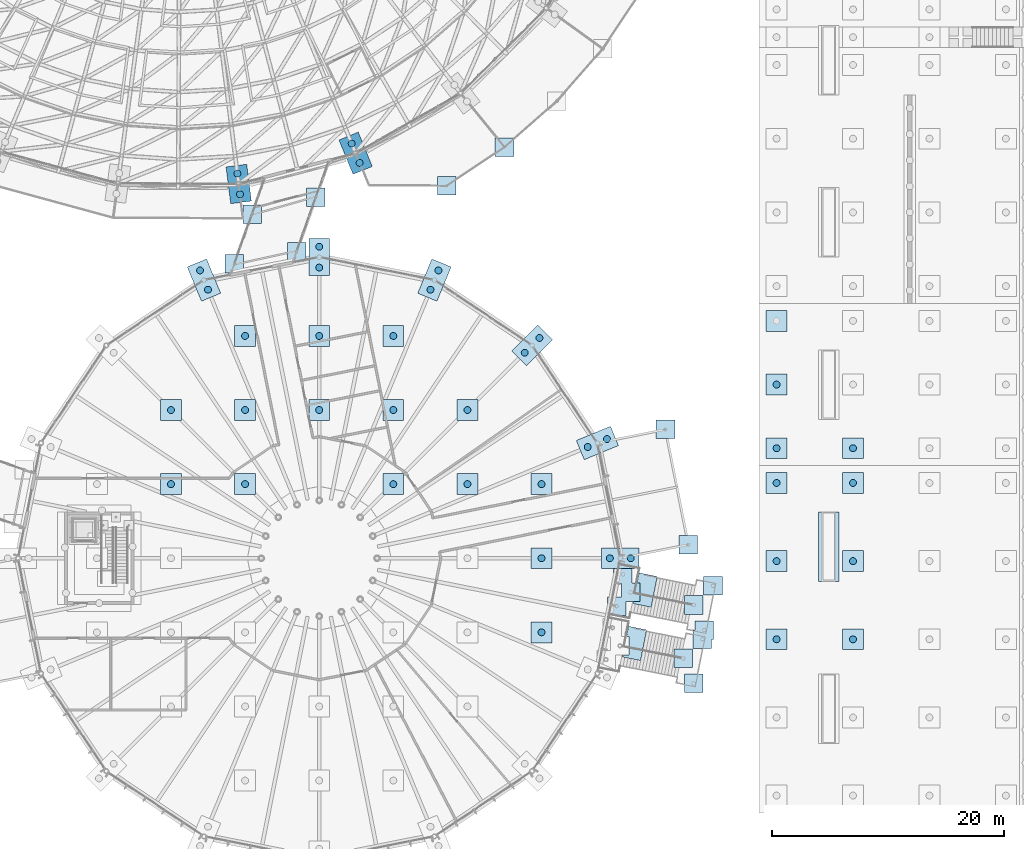
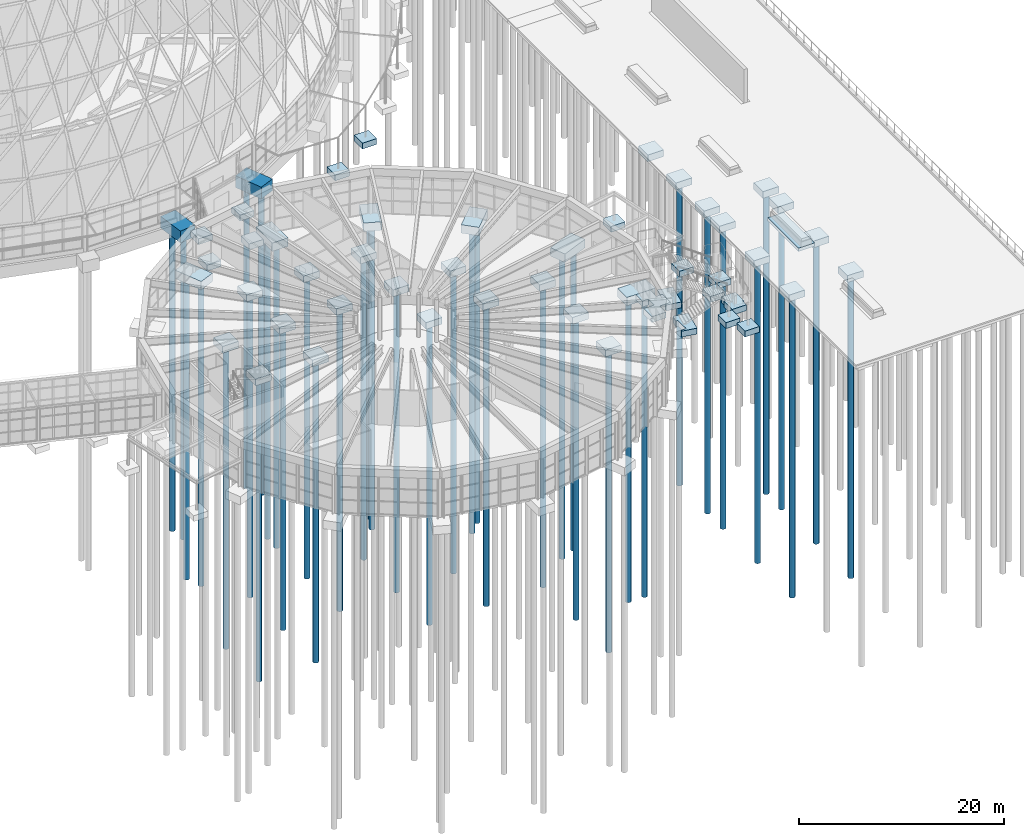
# One storey, part 8 of 226: 50 footings, 40 piles.
"""IFC4 building model written with IfcOpenShell, lengths in metres."""

from ifc_helpers import new_model, si_unit, direction, frame, origin, origin_2d, place, context, subcontext, project, spatial, polyline, circle, outline, extrude, material, layer, layer_set, material_profile, profile_set, type_object, element, save


model = new_model("IFC4")

# Units and contexts
model_context = context("Model", 3, precision=1e-05, world=origin(), true_north=direction((0.0, 1.0)))
body_context = subcontext(model_context, "Body", "Model", "MODEL_VIEW")
ifc_project = project(units=[si_unit("LENGTHUNIT", "METRE"), si_unit("AREAUNIT", "SQUARE_METRE"), si_unit("VOLUMEUNIT", "CUBIC_METRE"), si_unit("PLANEANGLEUNIT", "RADIAN"), si_unit("MASSUNIT", "GRAM", prefix="KILO")], contexts=[model_context])

# Site, building, storey
site_placement = place(None, origin())
site = spatial("IfcSite", under=ifc_project, at=site_placement, CompositionType="ELEMENT")
building_placement = place(site_placement, origin())
building = spatial("IfcBuilding", under=site, at=building_placement, Name="Ceibo Conservatory and Research Tower", CompositionType="ELEMENT")
storey_placement = place(building_placement, origin())
storey = spatial("IfcBuildingStorey", under=building, at=storey_placement, Name="L00", CompositionType="ELEMENT", Elevation=0.0)

# Piles
ifc_material_1 = material(Name="Concrete C35/45", Category="concrete")
ifc_material_profile = material_profile(ifc_material_1, circle(Radius=0.300048828125, at=origin_2d()), Name="RC D600")
ifc_profile_set = profile_set([ifc_material_profile], Name="Concrete C35/45")
pile_type = type_object("IfcPileType", Name="Bored pile D600", PredefinedType="BORED", material=ifc_profile_set)
for number, where, z_axis, x_axis, name in (
    (1, (160.934326171875, 69.212646484375, -1.300048828125), (0.0, 0.0, -1.0), (1.0, 0.0, 0.0), "Pile DA.CAP.L00.19 01"),
    (2, (161.16162109375, 67.427001953125, -1.300048828125), (0.0, 0.0, -1.0), (1.0, 0.0, 0.0), "Pile DA.CAP.L00.19 02"),
    (3, (170.80517578125, 71.811279296875, -1.300048828125), (0.0, 0.0, -1.0), (1.0, 0.0, 0.0), "Pile DA.CAP.L00.20 01"),
    (4, (171.48681640625, 70.1455078125, -1.300048828125), (0.0, 0.0, -1.0), (1.0, 0.0, 0.0), "Pile DA.CAP.L00.20 02"),
    (5, (193.10009765625, 36.0, -0.89990234375), (0.0, 0.0, -1.0), (1.0, 0.0, 0.0), "Pile VC.CAP.L00.01 01"),
    (6, (194.89990234375, 36.0, -0.89990234375), (0.0, 0.0, -1.0), (1.0, 0.0, 0.0), "Pile VC.CAP.L00.01 02"),
    (7, (191.189453125, 45.60546875, -0.89990234375), (0.0, 0.0, -1.0), (1.0, 0.0, 0.0), "Pile VC.CAP.L00.02 01"),
    (8, (192.852294921875, 46.294189453125, -0.89990234375), (0.0, 0.0, -1.0), (1.0, 0.0, 0.0), "Pile VC.CAP.L00.02 02"),
    (9, (185.748291015625, 53.748291015625, -0.89990234375), (0.0, 0.0, -1.0), (1.0, 0.0, 0.0), "Pile VC.CAP.L00.03 01"),
    (10, (187.021240234375, 55.021240234375, -0.89990234375), (0.0, 0.0, -1.0), (1.0, 0.0, 0.0), "Pile VC.CAP.L00.03 02"),
    (11, (177.60546875, 59.189453125, -0.89990234375), (0.0, 0.0, -1.0), (1.0, 0.0, 0.0), "Pile VC.CAP.L00.04 01"),
    (12, (178.294189453125, 60.852294921875, -0.89990234375), (0.0, 0.0, -1.0), (1.0, 0.0, 0.0), "Pile VC.CAP.L00.04 02"),
    (13, (168.0, 61.10009765625, -0.89990234375), (0.0, 0.0, -1.0), (1.0, 0.0, 0.0), "Pile VC.CAP.L00.05 01"),
    (14, (168.0, 62.89990234375, -0.89990234375), (0.0, 0.0, -1.0), (1.0, 0.0, 0.0), "Pile VC.CAP.L00.05 02"),
    (15, (158.39453125, 59.189453125, -0.89990234375), (0.0, 0.0, -1.0), (1.0, 0.0, 0.0), "Pile VC.CAP.L00.06 01"),
    (16, (157.705810546875, 60.852294921875, -0.89990234375), (0.0, 0.0, -1.0), (1.0, 0.0, 0.0), "Pile VC.CAP.L00.06 02"),
    (17, (187.199951171875, 29.60009765625, -0.949951171875), (0.0, 0.0, -1.0), (1.0, 0.0, 0.0), "Pile VC.CAP.FLOOR.14 01"),
    (18, (187.199951171875, 36.0, -0.949951171875), (0.0, 0.0, -1.0), (1.0, 0.0, 0.0), "Pile VC.CAP.FLOOR.18 01"),
    (19, (155.199951171875, 42.39990234375, -0.949951171875), (0.0, 0.0, -1.0), (1.0, 0.0, 0.0), "Pile VC.CAP.FLOOR.20 01"),
    (20, (161.60009765625, 42.39990234375, -0.949951171875), (0.0, 0.0, -1.0), (1.0, 0.0, 0.0), "Pile VC.CAP.FLOOR.21 01"),
    (21, (174.39990234375, 42.39990234375, -0.949951171875), (0.0, 0.0, -1.0), (1.0, 0.0, 0.0), "Pile VC.CAP.FLOOR.22 01"),
    (22, (180.800048828125, 42.39990234375, -0.949951171875), (0.0, 0.0, -1.0), (1.0, 0.0, 0.0), "Pile VC.CAP.FLOOR.23 01"),
    (23, (187.199951171875, 42.39990234375, -0.949951171875), (0.0, 0.0, -1.0), (1.0, 0.0, 0.0), "Pile VC.CAP.FLOOR.24 01"),
    (24, (155.199951171875, 48.800048828125, -0.949951171875), (0.0, 0.0, -1.0), (1.0, 0.0, 0.0), "Pile VC.CAP.FLOOR.25 01"),
    (25, (161.60009765625, 48.800048828125, -0.949951171875), (0.0, 0.0, -1.0), (1.0, 0.0, 0.0), "Pile VC.CAP.FLOOR.26 01"),
    (26, (168.0, 48.800048828125, -0.949951171875), (0.0, 0.0, -1.0), (1.0, 0.0, 0.0), "Pile VC.CAP.FLOOR.27 01"),
    (27, (174.39990234375, 48.800048828125, -0.949951171875), (0.0, 0.0, -1.0), (1.0, 0.0, 0.0), "Pile VC.CAP.FLOOR.28 01"),
    (28, (180.800048828125, 48.800048828125, -0.949951171875), (0.0, 0.0, -1.0), (1.0, 0.0, 0.0), "Pile VC.CAP.FLOOR.29 01"),
    (29, (161.60009765625, 55.199951171875, -0.949951171875), (0.0, 0.0, -1.0), (1.0, 0.0, 0.0), "Pile VC.CAP.FLOOR.30 01"),
    (30, (168.0, 55.199951171875, -0.949951171875), (0.0, 0.0, -1.0), (1.0, 0.0, 0.0), "Pile VC.CAP.FLOOR.31 01"),
    (31, (174.39990234375, 55.199951171875, -0.949951171875), (0.0, 0.0, -1.0), (1.0, 0.0, 0.0), "Pile VC.CAP.FLOOR.32 01"),
    (32, (207.5, 29.0, -1.14990234375), (0.0, 0.0, -1.0), (1.0, 0.0, 0.0), "Pile SITE.QDECK.CAP.N1.09 01"),
    (33, (214.10009765625, 29.0, -1.14990234375), (0.0, 0.0, -1.0), (1.0, 0.0, 0.0), "Pile SITE.QDECK.CAP.N1.10 01"),
    (34, (207.5, 35.75, -1.14990234375), (0.0, 0.0, -1.0), (1.0, 0.0, 0.0), "Pile SITE.QDECK.CAP.N1.13 01"),
    (35, (214.10009765625, 35.75, -1.14990234375), (0.0, 0.0, -1.0), (1.0, 0.0, 0.0), "Pile SITE.QDECK.CAP.N1.14 01"),
    (36, (207.5, 42.5, -1.14990234375), (0.0, 0.0, -1.0), (1.0, 0.0, 0.0), "Pile SITE.QDECK.CAP.N1.17 01"),
    (37, (214.10009765625, 42.5, -1.14990234375), (0.0, 0.0, -1.0), (1.0, 0.0, 0.0), "Pile SITE.QDECK.CAP.N1.18 01"),
    (38, (207.5, 45.5, -1.14990234375), (0.0, 0.0, -1.0), (1.0, 0.0, 0.0), "Pile SITE.QDECK.CAP.N2.01 01"),
    (39, (214.10009765625, 45.5, -1.14990234375), (0.0, 0.0, -1.0), (1.0, 0.0, 0.0), "Pile SITE.QDECK.CAP.N2.02 01"),
    (40, (207.5, 51.0, -1.14990234375), (0.0, 0.0, -1.0), (1.0, 0.0, 0.0), "Pile SITE.QDECK.CAP.N2.05 01"),
):
    element("IfcPile", number, at=place(storey_placement, frame(where, z_axis=z_axis, x_axis=x_axis)), inside=storey, type_object=pile_type, Name=name, PredefinedType="BORED", context=body_context, shape_type="SweptSolid", body=[
        extrude(circle(Radius=0.300048828125, at=origin_2d()), origin(), (0.0, 0.0, 1.0), 36.0),
    ])

# Footings
ifc_material_2 = material(Name="Concrete C40/50", Category="concrete")
ifc_layer_1 = layer(ifc_material_2, 0.699951171875)
ifc_layer_set_1 = layer_set([ifc_layer_1], Name="Concrete C40/50")
footing_type_1 = type_object("IfcFootingType", Name="Pad footing 1600x1600x700", PredefinedType="PAD_FOOTING", material=ifc_layer_set_1)
footing_1_placement = place(storey_placement, frame((0.0, 0.0, -0.949951171875)))
element("IfcFooting", 41, at=footing_1_placement, inside=storey, type_object=footing_type_1, Name="Pad footing GAL.CAP.L00.A-VC.N01", PredefinedType="PAD_FOOTING", context=body_context, shape_type="SweptSolid", body=[
    extrude(outline(polyline([(166.90966796875, 66.3701171875), (168.509521484375, 66.3701171875), (168.509521484375, 67.969970703125), (166.90966796875, 67.969970703125), (166.90966796875, 66.3701171875)])), origin(), (0.0, 0.0, 1.0), 0.699951171875),
])
footing_2_placement = place(storey_placement, frame((0.0, 0.0, -0.949951171875)))
element("IfcFooting", 42, at=footing_2_placement, inside=storey, type_object=footing_type_1, Name="Pad footing GAL.CAP.L00.A-VC.S01", PredefinedType="PAD_FOOTING", context=body_context, shape_type="SweptSolid", body=[
    extrude(outline(polyline([(161.406005859375, 64.921142578125), (163.006103515625, 64.921142578125), (163.006103515625, 66.52099609375), (161.406005859375, 66.52099609375), (161.406005859375, 64.921142578125)])), origin(), (0.0, 0.0, 1.0), 0.699951171875),
])
footing_3_placement = place(storey_placement, frame((0.0, 0.0, -0.949951171875)))
element("IfcFooting", 43, at=footing_3_placement, inside=storey, type_object=footing_type_1, Name="Pad footing GAL.CAP.L00.A-VC.N02", PredefinedType="PAD_FOOTING", context=body_context, shape_type="SweptSolid", body=[
    extrude(outline(polyline([(165.244140625, 61.6865234375), (166.84423828125, 61.6865234375), (166.84423828125, 63.28662109375), (165.244140625, 63.28662109375), (165.244140625, 61.6865234375)])), origin(), (0.0, 0.0, 1.0), 0.699951171875),
])
footing_4_placement = place(storey_placement, frame((0.0, 0.0, -0.949951171875)))
element("IfcFooting", 44, at=footing_4_placement, inside=storey, type_object=footing_type_1, Name="Pad footing GAL.CAP.L00.A-VC.S02", PredefinedType="PAD_FOOTING", context=body_context, shape_type="SweptSolid", body=[
    extrude(outline(polyline([(159.876220703125, 60.61865234375), (161.47607421875, 60.61865234375), (161.47607421875, 62.21875), (159.876220703125, 62.21875), (159.876220703125, 60.61865234375)])), origin(), (0.0, 0.0, 1.0), 0.699951171875),
])
footing_5_placement = place(storey_placement, frame((0.0, 0.0, -0.699951171875)))
element("IfcFooting", 45, at=footing_5_placement, inside=storey, type_object=footing_type_1, Name="Pad footing LATE.DA.CAP.L00.01", PredefinedType="PAD_FOOTING", context=body_context, shape_type="SweptSolid", body=[
    extrude(outline(polyline([(178.199951171875, 67.36279296875), (179.800048828125, 67.36279296875), (179.800048828125, 68.962890625), (178.199951171875, 68.962890625), (178.199951171875, 67.36279296875)])), origin(), (0.0, 0.0, 1.0), 0.699951171875),
])
footing_6_placement = place(storey_placement, frame((0.0, 0.0, -0.699951171875)))
element("IfcFooting", 46, at=footing_6_placement, inside=storey, type_object=footing_type_1, Name="Pad footing LATE.DA.CAP.L00.02", PredefinedType="PAD_FOOTING", context=body_context, shape_type="SweptSolid", body=[
    extrude(outline(polyline([(183.203125, 70.705810546875), (184.802978515625, 70.705810546875), (184.802978515625, 72.3056640625), (183.203125, 72.3056640625), (183.203125, 70.705810546875)])), origin(), (0.0, 0.0, 1.0), 0.699951171875),
])
footing_7_placement = place(storey_placement, frame((0.0, 0.0, -0.699951171875)))
element("IfcFooting", 47, at=footing_7_placement, inside=storey, type_object=footing_type_1, Name="Pad footing LATE.VC.STR.CAP.L00.04", PredefinedType="PAD_FOOTING", context=body_context, shape_type="SweptSolid", body=[
    extrude(outline(polyline([(199.53173828125, 24.384521484375), (201.131591796875, 24.384521484375), (201.131591796875, 25.984619140625), (199.53173828125, 25.984619140625), (199.53173828125, 24.384521484375)])), origin(), (0.0, 0.0, 1.0), 0.699951171875),
])
footing_8_placement = place(storey_placement, frame((0.0, 0.0, -0.699951171875)))
element("IfcFooting", 48, at=footing_8_placement, inside=storey, type_object=footing_type_1, Name="Pad footing LATE.VC.STR.CAP.L00.06", PredefinedType="PAD_FOOTING", context=body_context, shape_type="SweptSolid", body=[
    extrude(outline(polyline([(198.63720703125, 26.55078125), (200.237060546875, 26.55078125), (200.237060546875, 28.150634765625), (198.63720703125, 28.150634765625), (198.63720703125, 26.55078125)])), origin(), (0.0, 0.0, 1.0), 0.699951171875),
])
footing_9_placement = place(storey_placement, frame((0.0, 0.0, -0.699951171875)))
element("IfcFooting", 49, at=footing_9_placement, inside=storey, type_object=footing_type_1, Name="Pad footing LATE.VC.STR.CAP.L00.205", PredefinedType="PAD_FOOTING", context=body_context, shape_type="SweptSolid", body=[
    extrude(outline(polyline([(201.20947265625, 32.8193359375), (202.8095703125, 32.8193359375), (202.8095703125, 34.419189453125), (201.20947265625, 34.419189453125), (201.20947265625, 32.8193359375)])), origin(), (0.0, 0.0, 1.0), 0.699951171875),
])
footing_10_placement = place(storey_placement, frame((0.0, 0.0, -0.699951171875)))
element("IfcFooting", 50, at=footing_10_placement, inside=storey, type_object=footing_type_1, Name="Pad footing LATE.VC.STR.CAP.L00.206", PredefinedType="PAD_FOOTING", context=body_context, shape_type="SweptSolid", body=[
    extrude(outline(polyline([(199.553955078125, 31.160400390625), (201.154052734375, 31.160400390625), (201.154052734375, 32.760498046875), (199.553955078125, 32.760498046875), (199.553955078125, 31.160400390625)])), origin(), (0.0, 0.0, 1.0), 0.699951171875),
])
footing_11_placement = place(storey_placement, frame((0.0, 0.0, -0.699951171875)))
element("IfcFooting", 51, at=footing_11_placement, inside=storey, type_object=footing_type_1, Name="Pad footing LATE.VC.CNP.E.COL1", PredefinedType="PAD_FOOTING", context=body_context, shape_type="SweptSolid", body=[
    extrude(outline(polyline([(199.084716796875, 36.37060546875), (200.684814453125, 36.37060546875), (200.684814453125, 37.970458984375), (199.084716796875, 37.970458984375), (199.084716796875, 36.37060546875)])), origin(), (0.0, 0.0, 1.0), 0.699951171875),
])
footing_12_placement = place(storey_placement, frame((0.0, 0.0, -0.699951171875)))
element("IfcFooting", 52, at=footing_12_placement, inside=storey, type_object=footing_type_1, Name="Pad footing LATE.VC.CNP.E.COL2", PredefinedType="PAD_FOOTING", context=body_context, shape_type="SweptSolid", body=[
    extrude(outline(polyline([(197.10546875, 46.3203125), (198.70556640625, 46.3203125), (198.70556640625, 47.92041015625), (197.10546875, 47.92041015625), (197.10546875, 46.3203125)])), origin(), (0.0, 0.0, 1.0), 0.699951171875),
])
footing_13_placement = place(storey_placement, frame((0.0, 0.0, -0.699951171875)))
element("IfcFooting", 53, at=footing_13_placement, inside=storey, type_object=footing_type_1, Name="Pad footing LATE.VC.STR.FOOT", PredefinedType="PAD_FOOTING", context=body_context, shape_type="SweptSolid", body=[
    extrude(outline(polyline([(194.707763671875, 30.126708984375), (196.277099609375, 29.814697265625), (195.750244140625, 27.16650390625), (194.180908203125, 27.478515625), (194.212646484375, 27.637451171875), (194.774169921875, 27.637451171875), (194.774169921875, 29.2373046875), (194.531005859375, 29.2373046875), (194.707763671875, 30.126708984375)])), origin(), (0.0, 0.0, 1.0), 0.699951171875),
])
footing_14_placement = place(storey_placement, frame((0.0, 0.0, -0.699951171875)))
element("IfcFooting", 54, at=footing_14_placement, inside=storey, type_object=footing_type_1, Name="Pad footing LATE.VC.STR.FOOT2", PredefinedType="PAD_FOOTING", context=body_context, shape_type="SweptSolid", body=[
    extrude(outline(polyline([(195.624755859375, 34.736328125), (197.194091796875, 34.42431640625), (196.667236328125, 31.776123046875), (195.097900390625, 32.08837890625), (195.129638671875, 32.2470703125), (195.69091796875, 32.2470703125), (195.69091796875, 33.84716796875), (195.44775390625, 33.84716796875), (195.624755859375, 34.736328125)])), origin(), (0.0, 0.0, 1.0), 0.699951171875),
])
ifc_layer_2 = layer(ifc_material_2, 0.800048828125)
ifc_layer_set_2 = layer_set([ifc_layer_2], Name="Concrete C40/50")
footing_type_2 = type_object("IfcFootingType", Name="Pile cap 1800x1800x800", PredefinedType="PILE_CAP", material=ifc_layer_set_2)
footing_15_placement = place(storey_placement, frame((0.0, 0.0, -1.050048828125)))
element("IfcFooting", 55, at=footing_15_placement, inside=storey, type_object=footing_type_2, Name="Pile cap VC.CAP.FLOOR.14", PredefinedType="PILE_CAP", context=body_context, shape_type="SweptSolid", body=[
    extrude(outline(polyline([(186.300048828125, 28.699951171875), (188.10009765625, 28.699951171875), (188.10009765625, 30.5), (186.300048828125, 30.5), (186.300048828125, 28.699951171875)])), origin(), (0.0, 0.0, 1.0), 0.800048828125),
])
footing_16_placement = place(storey_placement, frame((0.0, 0.0, -1.050048828125)))
element("IfcFooting", 56, at=footing_16_placement, inside=storey, type_object=footing_type_2, Name="Pile cap VC.CAP.FLOOR.18", PredefinedType="PILE_CAP", context=body_context, shape_type="SweptSolid", body=[
    extrude(outline(polyline([(186.300048828125, 35.10009765625), (188.10009765625, 35.10009765625), (188.10009765625, 36.89990234375), (186.300048828125, 36.89990234375), (186.300048828125, 35.10009765625)])), origin(), (0.0, 0.0, 1.0), 0.800048828125),
])
footing_17_placement = place(storey_placement, frame((0.0, 0.0, -1.050048828125)))
element("IfcFooting", 57, at=footing_17_placement, inside=storey, type_object=footing_type_2, Name="Pile cap VC.CAP.FLOOR.20", PredefinedType="PILE_CAP", context=body_context, shape_type="SweptSolid", body=[
    extrude(outline(polyline([(154.300048828125, 41.5), (156.10009765625, 41.5), (156.10009765625, 43.300048828125), (154.300048828125, 43.300048828125), (154.300048828125, 41.5)])), origin(), (0.0, 0.0, 1.0), 0.800048828125),
])
footing_18_placement = place(storey_placement, frame((0.0, 0.0, -1.050048828125)))
element("IfcFooting", 58, at=footing_18_placement, inside=storey, type_object=footing_type_2, Name="Pile cap VC.CAP.FLOOR.21", PredefinedType="PILE_CAP", context=body_context, shape_type="SweptSolid", body=[
    extrude(outline(polyline([(160.699951171875, 41.5), (162.5, 41.5), (162.5, 43.300048828125), (160.699951171875, 43.300048828125), (160.699951171875, 41.5)])), origin(), (0.0, 0.0, 1.0), 0.800048828125),
])
footing_19_placement = place(storey_placement, frame((0.0, 0.0, -1.050048828125)))
element("IfcFooting", 59, at=footing_19_placement, inside=storey, type_object=footing_type_2, Name="Pile cap VC.CAP.FLOOR.22", PredefinedType="PILE_CAP", context=body_context, shape_type="SweptSolid", body=[
    extrude(outline(polyline([(173.5, 41.5), (175.300048828125, 41.5), (175.300048828125, 43.300048828125), (173.5, 43.300048828125), (173.5, 41.5)])), origin(), (0.0, 0.0, 1.0), 0.800048828125),
])
footing_20_placement = place(storey_placement, frame((0.0, 0.0, -1.050048828125)))
element("IfcFooting", 60, at=footing_20_placement, inside=storey, type_object=footing_type_2, Name="Pile cap VC.CAP.FLOOR.23", PredefinedType="PILE_CAP", context=body_context, shape_type="SweptSolid", body=[
    extrude(outline(polyline([(179.89990234375, 41.5), (181.699951171875, 41.5), (181.699951171875, 43.300048828125), (179.89990234375, 43.300048828125), (179.89990234375, 41.5)])), origin(), (0.0, 0.0, 1.0), 0.800048828125),
])
footing_21_placement = place(storey_placement, frame((0.0, 0.0, -1.050048828125)))
element("IfcFooting", 61, at=footing_21_placement, inside=storey, type_object=footing_type_2, Name="Pile cap VC.CAP.FLOOR.24", PredefinedType="PILE_CAP", context=body_context, shape_type="SweptSolid", body=[
    extrude(outline(polyline([(186.300048828125, 41.5), (188.10009765625, 41.5), (188.10009765625, 43.300048828125), (186.300048828125, 43.300048828125), (186.300048828125, 41.5)])), origin(), (0.0, 0.0, 1.0), 0.800048828125),
])
footing_22_placement = place(storey_placement, frame((0.0, 0.0, -1.050048828125)))
element("IfcFooting", 62, at=footing_22_placement, inside=storey, type_object=footing_type_2, Name="Pile cap VC.CAP.FLOOR.25", PredefinedType="PILE_CAP", context=body_context, shape_type="SweptSolid", body=[
    extrude(outline(polyline([(154.300048828125, 47.89990234375), (156.10009765625, 47.89990234375), (156.10009765625, 49.699951171875), (154.300048828125, 49.699951171875), (154.300048828125, 47.89990234375)])), origin(), (0.0, 0.0, 1.0), 0.800048828125),
])
footing_23_placement = place(storey_placement, frame((0.0, 0.0, -1.050048828125)))
element("IfcFooting", 63, at=footing_23_placement, inside=storey, type_object=footing_type_2, Name="Pile cap VC.CAP.FLOOR.26", PredefinedType="PILE_CAP", context=body_context, shape_type="SweptSolid", body=[
    extrude(outline(polyline([(160.699951171875, 47.89990234375), (162.5, 47.89990234375), (162.5, 49.699951171875), (160.699951171875, 49.699951171875), (160.699951171875, 47.89990234375)])), origin(), (0.0, 0.0, 1.0), 0.800048828125),
])
footing_24_placement = place(storey_placement, frame((0.0, 0.0, -1.050048828125)))
element("IfcFooting", 64, at=footing_24_placement, inside=storey, type_object=footing_type_2, Name="Pile cap VC.CAP.FLOOR.27", PredefinedType="PILE_CAP", context=body_context, shape_type="SweptSolid", body=[
    extrude(outline(polyline([(167.10009765625, 47.89990234375), (168.89990234375, 47.89990234375), (168.89990234375, 49.699951171875), (167.10009765625, 49.699951171875), (167.10009765625, 47.89990234375)])), origin(), (0.0, 0.0, 1.0), 0.800048828125),
])
footing_25_placement = place(storey_placement, frame((0.0, 0.0, -1.050048828125)))
element("IfcFooting", 65, at=footing_25_placement, inside=storey, type_object=footing_type_2, Name="Pile cap VC.CAP.FLOOR.28", PredefinedType="PILE_CAP", context=body_context, shape_type="SweptSolid", body=[
    extrude(outline(polyline([(173.5, 47.89990234375), (175.300048828125, 47.89990234375), (175.300048828125, 49.699951171875), (173.5, 49.699951171875), (173.5, 47.89990234375)])), origin(), (0.0, 0.0, 1.0), 0.800048828125),
])
footing_26_placement = place(storey_placement, frame((0.0, 0.0, -1.050048828125)))
element("IfcFooting", 66, at=footing_26_placement, inside=storey, type_object=footing_type_2, Name="Pile cap VC.CAP.FLOOR.29", PredefinedType="PILE_CAP", context=body_context, shape_type="SweptSolid", body=[
    extrude(outline(polyline([(179.89990234375, 47.89990234375), (181.699951171875, 47.89990234375), (181.699951171875, 49.699951171875), (179.89990234375, 49.699951171875), (179.89990234375, 47.89990234375)])), origin(), (0.0, 0.0, 1.0), 0.800048828125),
])
footing_27_placement = place(storey_placement, frame((0.0, 0.0, -1.050048828125)))
element("IfcFooting", 67, at=footing_27_placement, inside=storey, type_object=footing_type_2, Name="Pile cap VC.CAP.FLOOR.30", PredefinedType="PILE_CAP", context=body_context, shape_type="SweptSolid", body=[
    extrude(outline(polyline([(160.699951171875, 54.300048828125), (162.5, 54.300048828125), (162.5, 56.10009765625), (160.699951171875, 56.10009765625), (160.699951171875, 54.300048828125)])), origin(), (0.0, 0.0, 1.0), 0.800048828125),
])
footing_28_placement = place(storey_placement, frame((0.0, 0.0, -1.050048828125)))
element("IfcFooting", 68, at=footing_28_placement, inside=storey, type_object=footing_type_2, Name="Pile cap VC.CAP.FLOOR.31", PredefinedType="PILE_CAP", context=body_context, shape_type="SweptSolid", body=[
    extrude(outline(polyline([(167.10009765625, 54.300048828125), (168.89990234375, 54.300048828125), (168.89990234375, 56.10009765625), (167.10009765625, 56.10009765625), (167.10009765625, 54.300048828125)])), origin(), (0.0, 0.0, 1.0), 0.800048828125),
])
footing_29_placement = place(storey_placement, frame((0.0, 0.0, -1.050048828125)))
element("IfcFooting", 69, at=footing_29_placement, inside=storey, type_object=footing_type_2, Name="Pile cap VC.CAP.FLOOR.32", PredefinedType="PILE_CAP", context=body_context, shape_type="SweptSolid", body=[
    extrude(outline(polyline([(173.5, 54.300048828125), (175.300048828125, 54.300048828125), (175.300048828125, 56.10009765625), (173.5, 56.10009765625), (173.5, 54.300048828125)])), origin(), (0.0, 0.0, 1.0), 0.800048828125),
])
footing_30_placement = place(storey_placement, frame((0.0, 0.0, -1.25)))
element("IfcFooting", 70, at=footing_30_placement, inside=storey, type_object=footing_type_2, Name="Quay deck pile cap N1-09", PredefinedType="PILE_CAP", context=body_context, shape_type="SweptSolid", body=[
    extrude(outline(polyline([(206.60009765625, 28.10009765625), (208.39990234375, 28.10009765625), (208.39990234375, 29.89990234375), (206.60009765625, 29.89990234375), (206.60009765625, 28.10009765625)])), origin(), (0.0, 0.0, 1.0), 0.800048828125),
])
footing_31_placement = place(storey_placement, frame((0.0, 0.0, -1.25)))
element("IfcFooting", 71, at=footing_31_placement, inside=storey, type_object=footing_type_2, Name="Quay deck pile cap N1-10", PredefinedType="PILE_CAP", context=body_context, shape_type="SweptSolid", body=[
    extrude(outline(polyline([(213.199951171875, 28.10009765625), (215.0, 28.10009765625), (215.0, 29.89990234375), (213.199951171875, 29.89990234375), (213.199951171875, 28.10009765625)])), origin(), (0.0, 0.0, 1.0), 0.800048828125),
])
footing_32_placement = place(storey_placement, frame((0.0, 0.0, -1.25)))
element("IfcFooting", 72, at=footing_32_placement, inside=storey, type_object=footing_type_2, Name="Quay deck pile cap N1-13", PredefinedType="PILE_CAP", context=body_context, shape_type="SweptSolid", body=[
    extrude(outline(polyline([(206.60009765625, 34.85009765625), (208.39990234375, 34.85009765625), (208.39990234375, 36.64990234375), (206.60009765625, 36.64990234375), (206.60009765625, 34.85009765625)])), origin(), (0.0, 0.0, 1.0), 0.800048828125),
])
footing_33_placement = place(storey_placement, frame((0.0, 0.0, -1.25)))
element("IfcFooting", 73, at=footing_33_placement, inside=storey, type_object=footing_type_2, Name="Quay deck pile cap N1-14", PredefinedType="PILE_CAP", context=body_context, shape_type="SweptSolid", body=[
    extrude(outline(polyline([(213.199951171875, 34.85009765625), (215.0, 34.85009765625), (215.0, 36.64990234375), (213.199951171875, 36.64990234375), (213.199951171875, 34.85009765625)])), origin(), (0.0, 0.0, 1.0), 0.800048828125),
])
footing_34_placement = place(storey_placement, frame((0.0, 0.0, -1.25)))
element("IfcFooting", 74, at=footing_34_placement, inside=storey, type_object=footing_type_2, Name="Quay deck pile cap N1-17", PredefinedType="PILE_CAP", context=body_context, shape_type="SweptSolid", body=[
    extrude(outline(polyline([(206.60009765625, 41.60009765625), (208.39990234375, 41.60009765625), (208.39990234375, 43.39990234375), (206.60009765625, 43.39990234375), (206.60009765625, 41.60009765625)])), origin(), (0.0, 0.0, 1.0), 0.800048828125),
])
footing_35_placement = place(storey_placement, frame((0.0, 0.0, -1.25)))
element("IfcFooting", 75, at=footing_35_placement, inside=storey, type_object=footing_type_2, Name="Quay deck pile cap N1-18", PredefinedType="PILE_CAP", context=body_context, shape_type="SweptSolid", body=[
    extrude(outline(polyline([(213.199951171875, 41.60009765625), (215.0, 41.60009765625), (215.0, 43.39990234375), (213.199951171875, 43.39990234375), (213.199951171875, 41.60009765625)])), origin(), (0.0, 0.0, 1.0), 0.800048828125),
])
footing_36_placement = place(storey_placement, frame((0.0, 0.0, -1.25)))
element("IfcFooting", 76, at=footing_36_placement, inside=storey, type_object=footing_type_2, Name="Quay deck pile cap N2-01", PredefinedType="PILE_CAP", context=body_context, shape_type="SweptSolid", body=[
    extrude(outline(polyline([(206.60009765625, 44.60009765625), (208.39990234375, 44.60009765625), (208.39990234375, 46.39990234375), (206.60009765625, 46.39990234375), (206.60009765625, 44.60009765625)])), origin(), (0.0, 0.0, 1.0), 0.800048828125),
])
footing_37_placement = place(storey_placement, frame((0.0, 0.0, -1.25)))
element("IfcFooting", 77, at=footing_37_placement, inside=storey, type_object=footing_type_2, Name="Quay deck pile cap N2-02", PredefinedType="PILE_CAP", context=body_context, shape_type="SweptSolid", body=[
    extrude(outline(polyline([(213.199951171875, 44.60009765625), (215.0, 44.60009765625), (215.0, 46.39990234375), (213.199951171875, 46.39990234375), (213.199951171875, 44.60009765625)])), origin(), (0.0, 0.0, 1.0), 0.800048828125),
])
footing_38_placement = place(storey_placement, frame((0.0, 0.0, -1.25)))
element("IfcFooting", 78, at=footing_38_placement, inside=storey, type_object=footing_type_2, Name="Quay deck pile cap N2-05", PredefinedType="PILE_CAP", context=body_context, shape_type="SweptSolid", body=[
    extrude(outline(polyline([(206.60009765625, 50.10009765625), (208.39990234375, 50.10009765625), (208.39990234375, 51.89990234375), (206.60009765625, 51.89990234375), (206.60009765625, 50.10009765625)])), origin(), (0.0, 0.0, 1.0), 0.800048828125),
])
footing_39_placement = place(storey_placement, frame((0.0, 0.0, -1.25)))
element("IfcFooting", 79, at=footing_39_placement, inside=storey, type_object=footing_type_2, Name="Quay deck pile cap N2-09", PredefinedType="PILE_CAP", context=body_context, shape_type="SweptSolid", body=[
    extrude(outline(polyline([(206.60009765625, 55.60009765625), (208.39990234375, 55.60009765625), (208.39990234375, 57.39990234375), (206.60009765625, 57.39990234375), (206.60009765625, 55.60009765625)])), origin(), (0.0, 0.0, 1.0), 0.800048828125),
])
ifc_layer_3 = layer(ifc_material_2, 1.0)
ifc_layer_set_3 = layer_set([ifc_layer_3], Name="Concrete C40/50")
footing_type_3 = type_object("IfcFootingType", Name="Pile cap 3200x1800x1000", PredefinedType="PILE_CAP", material=ifc_layer_set_3)
footing_40_placement = place(storey_placement, frame((0.0, 0.0, -1.0)))
element("IfcFooting", 80, at=footing_40_placement, inside=storey, type_object=footing_type_3, Name="Pile cap VC.CAP.L00.01", PredefinedType="PILE_CAP", context=body_context, shape_type="SweptSolid", body=[
    extrude(outline(polyline([(192.39990234375, 35.10009765625), (195.60009765625, 35.10009765625), (195.60009765625, 36.89990234375), (192.39990234375, 36.89990234375), (192.39990234375, 35.10009765625)])), origin(), (0.0, 0.0, 1.0), 1.0),
])
for number, where, z_axis, x_axis, name in (
    (81, (190.886962890625, 44.506103515625, -1.0), (0.0, 0.0, 1.0), (0.923879507629, 0.382683492437, 0.0), "Pile cap VC.CAP.L00.02"),
    (82, (185.889892578125, 52.616943359375, -1.0), (0.0, 0.0, 1.0), (0.707106781187, 0.707106781187, 0.0), "Pile cap VC.CAP.L00.03"),
    (83, (178.1689453125, 58.1982421875, -1.0), (0.0, 0.0, 1.0), (0.382683492437, 0.923879507629, 0.0), "Pile cap VC.CAP.L00.04"),
):
    element("IfcFooting", number, at=place(storey_placement, frame(where, z_axis=z_axis, x_axis=x_axis)), inside=storey, type_object=footing_type_3, Name=name, PredefinedType="PILE_CAP", context=body_context, shape_type="SweptSolid", body=[
        extrude(outline(polyline([(0.0, 0.0), (3.199951171875, 0.0), (3.199951171875, 1.800048828125), (0.0, 1.800048828125), (0.0, 0.0)])), origin(), (0.0, 0.0, 1.0), 1.0),
    ])
footing_41_placement = place(storey_placement, frame((0.0, 0.0, -1.0)))
element("IfcFooting", 84, at=footing_41_placement, inside=storey, type_object=footing_type_3, Name="Pile cap VC.CAP.L00.05", PredefinedType="PILE_CAP", context=body_context, shape_type="SweptSolid", body=[
    extrude(outline(polyline([(168.89990234375, 60.39990234375), (168.89990234375, 63.60009765625), (167.10009765625, 63.60009765625), (167.10009765625, 60.39990234375), (168.89990234375, 60.39990234375)])), origin(), (0.0, 0.0, 1.0), 1.0),
])
footing_42_placement = place(storey_placement, frame((159.493896484375, 58.886962890625, -1.0), z_axis=(0.0, 0.0, 1.0), x_axis=(-0.382683492437, 0.923879507629, 0.0)))
element("IfcFooting", 85, at=footing_42_placement, inside=storey, type_object=footing_type_3, Name="Pile cap VC.CAP.L00.06", PredefinedType="PILE_CAP", context=body_context, shape_type="SweptSolid", body=[
    extrude(outline(polyline([(0.0, 0.0), (3.199951171875, 0.0), (3.199951171875, 1.800048828125), (0.0, 1.800048828125), (0.0, 0.0)])), origin(), (0.0, 0.0, 1.0), 1.0),
])
ifc_layer_4 = layer(ifc_material_2, 1.39990234375)
ifc_layer_set_4 = layer_set([ifc_layer_4], Name="Concrete C40/50")
footing_type_4 = type_object("IfcFootingType", Name="Pile cap 3200x1800x1400", PredefinedType="PILE_CAP", material=ifc_layer_set_4)
for number, where, z_axis, x_axis, name in (
    (86, (159.953125, 69.79345703125, -1.39990234375), (0.0, 0.0, 1.0), (0.126199054713, -0.992004938793, 0.0), "Pile cap DA.CAP.L00.19"),
    (87, (169.70703125, 72.118408203125, -1.39990234375), (0.0, 0.0, 1.0), (0.378648420887, -0.925540584393, 0.0), "Pile cap DA.CAP.L00.20"),
):
    element("IfcFooting", number, at=place(storey_placement, frame(where, z_axis=z_axis, x_axis=x_axis)), inside=storey, type_object=footing_type_4, Name=name, PredefinedType="PILE_CAP", context=body_context, shape_type="SweptSolid", body=[
        extrude(outline(polyline([(0.0, 0.0), (3.199951171875, 0.0), (3.199951171875, 1.800048828125), (0.0, 1.800048828125), (0.0, 0.0)])), origin(), (0.0, 0.0, 1.0), 1.39990234375),
    ])
ifc_layer_5 = layer(ifc_material_2, 0.699951171875)
ifc_layer_set_5 = layer_set([ifc_layer_5], Name="Concrete C40/50")
footing_type_5 = type_object("IfcFootingType", Name="Pile cap combined 700", PredefinedType="PILE_CAP", material=ifc_layer_set_5)
footing_43_placement = place(storey_placement, frame((0.0, 0.0, -0.699951171875)))
element("IfcFooting", 88, at=footing_43_placement, inside=storey, type_object=footing_type_5, Name="Pile cap LATE.VC.STR.CAP.L00.05.J", PredefinedType="PILE_CAP", context=body_context, shape_type="SweptSolid", body=[
    extrude(outline(polyline([(201.892578125, 28.209716796875), (201.892578125, 28.994384765625), (202.048583984375, 28.994384765625), (202.048583984375, 30.59423828125), (200.448486328125, 30.59423828125), (200.448486328125, 29.809814453125), (200.29248046875, 29.809814453125), (200.29248046875, 28.209716796875), (201.892578125, 28.209716796875)])), origin(), (0.0, 0.0, 1.0), 0.699951171875),
])
footing_44_placement = place(storey_placement, frame((0.0, 0.0, -0.699951171875)))
element("IfcFooting", 89, at=footing_44_placement, inside=storey, type_object=footing_type_5, Name="Pile cap LATE.VC.STR.CAP.L00.201.J", PredefinedType="PILE_CAP", context=body_context, shape_type="SweptSolid", body=[
    extrude(outline(polyline([(194.486083984375, 31.059326171875), (194.486083984375, 32.2470703125), (195.69091796875, 32.2470703125), (195.69091796875, 33.84716796875), (195.032470703125, 33.84716796875), (195.032470703125, 35.10009765625), (193.432373046875, 35.10009765625), (193.432373046875, 33.805419921875), (194.091064453125, 33.805419921875), (194.091064453125, 32.6591796875), (192.88623046875, 32.6591796875), (192.88623046875, 31.059326171875), (194.486083984375, 31.059326171875)])), origin(), (0.0, 0.0, 1.0), 0.699951171875),
])
ifc_layer_6 = layer(ifc_material_2, 0.39990234375)
ifc_layer_set_6 = layer_set([ifc_layer_6], Name="Concrete C40/50")
footing_type_6 = type_object("IfcFootingType", Name="Strip footing 1800x400", PredefinedType="STRIP_FOOTING", material=ifc_layer_set_6)
footing_45_placement = place(storey_placement, frame((0.0, 0.0, -0.39990234375)))
element("IfcFooting", 90, at=footing_45_placement, inside=storey, type_object=footing_type_6, Name="Strip footing SITE.STRIP.PLANTER.L00.P02", PredefinedType="STRIP_FOOTING", context=body_context, shape_type="SweptSolid", body=[
    extrude(outline(polyline([(212.89990234375, 34.0), (212.89990234375, 40.0), (211.10009765625, 40.0), (211.10009765625, 34.0), (212.89990234375, 34.0)])), origin(), (0.0, 0.0, 1.0), 0.39990234375),
])

save(model, "model.ifc")
